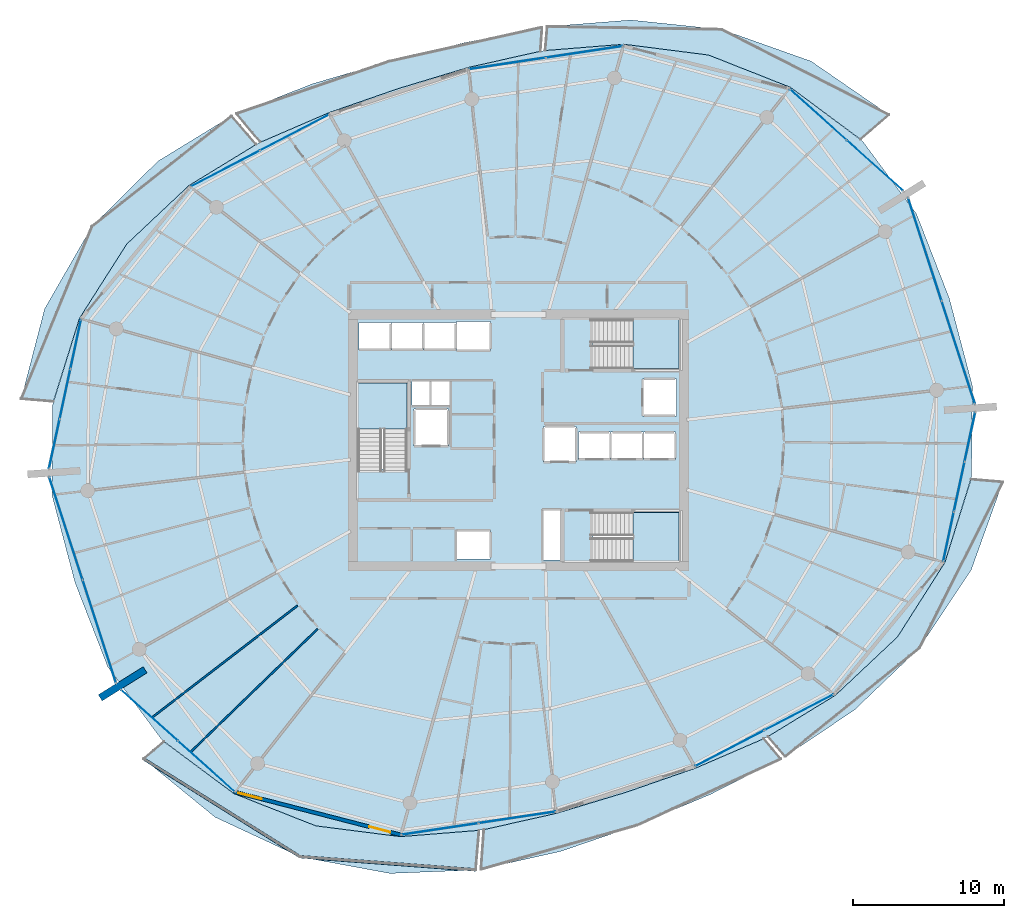
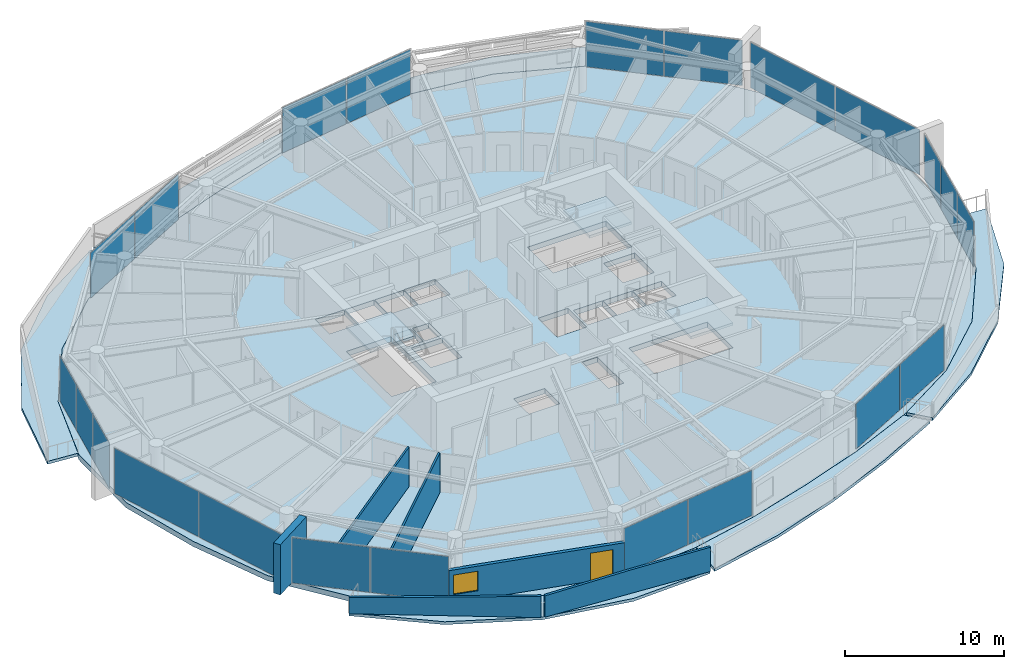
# One storey, part 17 of 30: 22 plates, 10 slabs, 6 walls, 1 door, 1 window, 2 openings, 13 elements without a shape of their own.
"""IFC4 building model written with IfcOpenShell, lengths in metres."""

from ifc_helpers import new_model, si_unit, direction, frame, frame_2d, origin, origin_2d, place, context, subcontext, project, spatial, polyline, rectangle, outline, extrude, material, layer, layer_set, type_object, element, fill, aggregate, save


model = new_model("IFC4")

# Units and contexts
model_context = context("Model", 3, precision=1e-05, world=origin(), true_north=direction((0.0, 1.0)))
body_context = subcontext(model_context, "Body", "Model", "MODEL_VIEW")
ifc_project = project(units=[si_unit("LENGTHUNIT", "METRE"), si_unit("AREAUNIT", "SQUARE_METRE"), si_unit("VOLUMEUNIT", "CUBIC_METRE"), si_unit("PLANEANGLEUNIT", "RADIAN"), si_unit("MASSUNIT", "GRAM", prefix="KILO")], contexts=[model_context])

# Site, building, storey
site_placement = place(None, origin())
site = spatial("IfcSite", under=ifc_project, at=site_placement, CompositionType="ELEMENT")
building_placement = place(site_placement, origin())
building = spatial("IfcBuilding", under=site, at=building_placement, Name="Kazma Halo Residences", CompositionType="ELEMENT")
storey_placement = place(building_placement, frame((0.0, 0.0, 236.699951171875)))
storey = spatial("IfcBuildingStorey", under=building, at=storey_placement, Name="L59", CompositionType="ELEMENT", Elevation=236.699951171875)

# Curtain wall, plates
ifc_material_1 = material(Name="Aluminium AW-6063 T6 and Triple-Silver Low-E Glass", Category="aluminium")
ifc_layer_1 = layer(ifc_material_1, 0.139892578125)
ifc_layer_set_1 = layer_set([ifc_layer_1], Name="Aluminium AW-6063 T6 and Triple-Silver Low-E Glass")
curtain_wall_type = type_object("IfcCurtainWallType", Name="CW-SYS-5", PredefinedType="NOTDEFINED", material=ifc_layer_set_1)
curtain_wall_1_placement = place(storey_placement, origin())
curtain_wall_1 = element("IfcCurtainWall", 1, at=curtain_wall_1_placement, inside=storey, type_object=curtain_wall_type, Name="L59 unitised curtain wall B01", PredefinedType="NOTDEFINED")
ifc_material_2 = material(Name="Clear Triple-Silver Low-E Glass IGU", Category="glass")
ifc_layer_2 = layer(ifc_material_2, 0.02587890625)
ifc_layer_set_2 = layer_set([ifc_layer_2], Name="Clear Triple-Silver Low-E Glass IGU")
plate_type = type_object("IfcPlateType", Name="CW-SYS-5-PNL", PredefinedType="CURTAIN_PANEL", material=ifc_layer_set_2)
plate_1_placement = place(storey_placement, frame((72.002685546875, 60.179443359375, 0.06005859375), z_axis=(0.0, 0.0, 1.0), x_axis=(-0.744336424671, 0.667804826958, 0.0)))
plate_1 = element("IfcPlate", 2, at=plate_1_placement, type_object=plate_type, Name="CWS-5 panel 1.1", PredefinedType="CURTAIN_PANEL", context=body_context, shape_type="SweptSolid", body=[
    extrude(rectangle(XDim=4.993408203125, YDim=0.02587890625, at=origin_2d()), origin(), (0.0, 0.0, 1.0), 3.469970703125),
])
plate_2_placement = place(storey_placement, frame((68.2412109375, 63.55419921875, 0.06005859375), z_axis=(0.0, 0.0, 1.0), x_axis=(-0.744336424671, 0.667804826958, 0.0)))
plate_2 = element("IfcPlate", 3, at=plate_2_placement, type_object=plate_type, Name="CWS-5 panel 2.1", PredefinedType="CURTAIN_PANEL", context=body_context, shape_type="SweptSolid", body=[
    extrude(rectangle(XDim=4.993408203125, YDim=0.02587890625, at=origin_2d()), origin(), (0.0, 0.0, 1.0), 3.469970703125),
])
aggregate(curtain_wall_1, [plate_1, plate_2])

curtain_wall_2_placement = place(storey_placement, origin())
curtain_wall_2 = element("IfcCurtainWall", 4, at=curtain_wall_2_placement, inside=storey, type_object=curtain_wall_type, Name="L59 unitised curtain wall B03", PredefinedType="NOTDEFINED")
plate_3_placement = place(storey_placement, frame((52.77783203125, 67.70361328125, 0.06005859375), z_axis=(0.0, 0.0, 1.0), x_axis=(-0.988882792998, -0.148697080374, 0.0)))
plate_3 = element("IfcPlate", 5, at=plate_3_placement, type_object=plate_type, Name="CWS-5 panel 1.1", PredefinedType="CURTAIN_PANEL", context=body_context, shape_type="SweptSolid", body=[
    extrude(rectangle(XDim=5.099853515625, YDim=0.02587890625, at=origin_2d()), origin(), (0.0, 0.0, 1.0), 3.469970703125),
])
plate_4_placement = place(storey_placement, frame((47.67529296875, 66.936279296875, 0.06005859375), z_axis=(0.0, 0.0, 1.0), x_axis=(-0.988882792998, -0.148697080374, 0.0)))
plate_4 = element("IfcPlate", 6, at=plate_4_placement, type_object=plate_type, Name="CWS-5 panel 2.1", PredefinedType="CURTAIN_PANEL", context=body_context, shape_type="SweptSolid", body=[
    extrude(rectangle(XDim=5.099853515625, YDim=0.02587890625, at=origin_2d()), origin(), (0.0, 0.0, 1.0), 3.469970703125),
])
aggregate(curtain_wall_2, [plate_3, plate_4])

curtain_wall_3_placement = place(storey_placement, origin())
curtain_wall_3 = element("IfcCurtainWall", 7, at=curtain_wall_3_placement, inside=storey, type_object=curtain_wall_type, Name="L59 unitised curtain wall B05", PredefinedType="NOTDEFINED")
plate_5_placement = place(storey_placement, frame((33.60546875, 62.36474609375, 0.06005859375), z_axis=(0.0, 0.0, 1.0), x_axis=(-0.887420518694, -0.460960760804, 0.0)))
plate_5 = element("IfcPlate", 8, at=plate_5_placement, type_object=plate_type, Name="CWS-5 panel 1.1", PredefinedType="CURTAIN_PANEL", context=body_context, shape_type="SweptSolid", body=[
    extrude(rectangle(XDim=5.099609375, YDim=0.02587890625, at=origin_2d()), origin(), (0.0, 0.0, 1.0), 3.469970703125),
])
plate_6_placement = place(storey_placement, frame((29.026611328125, 59.986328125, 0.06005859375), z_axis=(0.0, 0.0, 1.0), x_axis=(-0.887420518694, -0.460960760804, 0.0)))
plate_6 = element("IfcPlate", 9, at=plate_6_placement, type_object=plate_type, Name="CWS-5 panel 2.1", PredefinedType="CURTAIN_PANEL", context=body_context, shape_type="SweptSolid", body=[
    extrude(rectangle(XDim=5.099609375, YDim=0.02587890625, at=origin_2d()), origin(), (0.0, 0.0, 1.0), 3.469970703125),
])
aggregate(curtain_wall_3, [plate_5, plate_6])

curtain_wall_4_placement = place(storey_placement, origin())
curtain_wall_4 = element("IfcCurtainWall", 10, at=curtain_wall_4_placement, inside=storey, type_object=curtain_wall_type, Name="L59 unitised curtain wall B07", PredefinedType="NOTDEFINED")
plate_7_placement = place(storey_placement, frame((19.133056640625, 48.36865234375, 0.06005859375), z_axis=(0.0, 0.0, 1.0), x_axis=(-0.209657382603, -0.97777491373, 0.0)))
plate_7 = element("IfcPlate", 11, at=plate_7_placement, type_object=plate_type, Name="CWS-5 panel 1.1", PredefinedType="CURTAIN_PANEL", context=body_context, shape_type="SweptSolid", body=[
    extrude(rectangle(XDim=3.299072265625, YDim=0.02587890625, at=origin_2d()), origin(), (0.0, 0.0, 1.0), 3.469970703125),
])
plate_8_placement = place(storey_placement, frame((18.42578125, 45.069580078125, 0.06005859375), z_axis=(0.0, 0.0, 1.0), x_axis=(-0.209657382603, -0.97777491373, 0.0)))
plate_8 = element("IfcPlate", 12, at=plate_8_placement, type_object=plate_type, Name="CWS-5 panel 2.1", PredefinedType="CURTAIN_PANEL", context=body_context, shape_type="SweptSolid", body=[
    extrude(rectangle(XDim=3.3291015625, YDim=0.02587890625, at=origin_2d()), origin(), (0.0, 0.0, 1.0), 3.469970703125),
])
plate_9_placement = place(storey_placement, frame((17.71826171875, 41.7705078125, 0.06005859375), z_axis=(0.0, 0.0, 1.0), x_axis=(-0.209657382603, -0.97777491373, 0.0)))
plate_9 = element("IfcPlate", 13, at=plate_9_placement, type_object=plate_type, Name="CWS-5 panel 3.1", PredefinedType="CURTAIN_PANEL", context=body_context, shape_type="SweptSolid", body=[
    extrude(rectangle(XDim=3.299072265625, YDim=0.02587890625, at=origin_2d()), origin(), (0.0, 0.0, 1.0), 3.469970703125),
])
aggregate(curtain_wall_4, [plate_7, plate_8, plate_9])

curtain_wall_5_placement = place(storey_placement, origin())
curtain_wall_5 = element("IfcCurtainWall", 14, at=curtain_wall_5_placement, inside=storey, type_object=curtain_wall_type, Name="L59 unitised curtain wall B08", PredefinedType="NOTDEFINED")
plate_10_placement = place(storey_placement, frame((18.48486328125, 36.1787109375, 0.06005859375), z_axis=(0.0, 0.0, 1.0), x_axis=(0.309010998786, -0.951058464359, 0.0)))
plate_10 = element("IfcPlate", 15, at=plate_10_placement, type_object=plate_type, Name="CWS-5 panel 1.1", PredefinedType="CURTAIN_PANEL", context=body_context, shape_type="SweptSolid", body=[
    extrude(rectangle(XDim=7.108642578125, YDim=0.02587890625, at=origin_2d()), origin(), (0.0, 0.0, 1.0), 3.469970703125),
])
plate_11_placement = place(storey_placement, frame((20.699951171875, 29.36083984375, 0.06005859375), z_axis=(0.0, 0.0, 1.0), x_axis=(0.309010998786, -0.951058464359, 0.0)))
plate_11 = element("IfcPlate", 16, at=plate_11_placement, type_object=plate_type, Name="CWS-5 panel 2.1", PredefinedType="CURTAIN_PANEL", context=body_context, shape_type="SweptSolid", body=[
    extrude(rectangle(XDim=7.108642578125, YDim=0.02587890625, at=origin_2d()), origin(), (0.0, 0.0, 1.0), 3.469970703125),
])
aggregate(curtain_wall_5, [plate_10, plate_11])

curtain_wall_6_placement = place(storey_placement, origin())
curtain_wall_6 = element("IfcCurtainWall", 17, at=curtain_wall_6_placement, inside=storey, type_object=curtain_wall_type, Name="L59 unitised curtain wall B09", PredefinedType="NOTDEFINED")
plate_12_placement = place(storey_placement, frame((23.997314453125, 23.820556640625, 0.06005859375), z_axis=(0.0, 0.0, 1.0), x_axis=(0.744336424671, -0.667804826958, 0.0)))
plate_12 = element("IfcPlate", 18, at=plate_12_placement, type_object=plate_type, Name="CWS-5 panel 1.1", PredefinedType="CURTAIN_PANEL", context=body_context, shape_type="SweptSolid", body=[
    extrude(rectangle(XDim=4.993408203125, YDim=0.02587890625, at=origin_2d()), origin(), (0.0, 0.0, 1.0), 3.469970703125),
])
plate_13_placement = place(storey_placement, frame((27.7587890625, 20.44580078125, 0.06005859375), z_axis=(0.0, 0.0, 1.0), x_axis=(0.744336424671, -0.667804826958, 0.0)))
plate_13 = element("IfcPlate", 19, at=plate_13_placement, type_object=plate_type, Name="CWS-5 panel 2.1", PredefinedType="CURTAIN_PANEL", context=body_context, shape_type="SweptSolid", body=[
    extrude(rectangle(XDim=4.993408203125, YDim=0.02587890625, at=origin_2d()), origin(), (0.0, 0.0, 1.0), 3.469970703125),
])
aggregate(curtain_wall_6, [plate_12, plate_13])

curtain_wall_7_placement = place(storey_placement, origin())
curtain_wall_7 = element("IfcCurtainWall", 20, at=curtain_wall_7_placement, inside=storey, type_object=curtain_wall_type, Name="L59 unitised curtain wall B11", PredefinedType="NOTDEFINED")
plate_14_placement = place(storey_placement, frame((43.22216796875, 16.29638671875, 0.06005859375), z_axis=(0.0, 0.0, 1.0), x_axis=(0.988882792998, 0.148697080374, 0.0)))
plate_14 = element("IfcPlate", 21, at=plate_14_placement, type_object=plate_type, Name="CWS-5 panel 1.1", PredefinedType="CURTAIN_PANEL", context=body_context, shape_type="SweptSolid", body=[
    extrude(rectangle(XDim=5.099853515625, YDim=0.02587890625, at=origin_2d()), origin(), (0.0, 0.0, 1.0), 3.469970703125),
])
plate_15_placement = place(storey_placement, frame((48.32470703125, 17.063720703125, 0.06005859375), z_axis=(0.0, 0.0, 1.0), x_axis=(0.988882792998, 0.148697080374, 0.0)))
plate_15 = element("IfcPlate", 22, at=plate_15_placement, type_object=plate_type, Name="CWS-5 panel 2.1", PredefinedType="CURTAIN_PANEL", context=body_context, shape_type="SweptSolid", body=[
    extrude(rectangle(XDim=5.099853515625, YDim=0.02587890625, at=origin_2d()), origin(), (0.0, 0.0, 1.0), 3.469970703125),
])
aggregate(curtain_wall_7, [plate_14, plate_15])

curtain_wall_8_placement = place(storey_placement, origin())
curtain_wall_8 = element("IfcCurtainWall", 23, at=curtain_wall_8_placement, inside=storey, type_object=curtain_wall_type, Name="L59 unitised curtain wall B13", PredefinedType="NOTDEFINED")
plate_16_placement = place(storey_placement, frame((62.39453125, 21.63525390625, 0.06005859375), z_axis=(0.0, 0.0, 1.0), x_axis=(0.887420518694, 0.460960760804, 0.0)))
plate_16 = element("IfcPlate", 24, at=plate_16_placement, type_object=plate_type, Name="CWS-5 panel 1.1", PredefinedType="CURTAIN_PANEL", context=body_context, shape_type="SweptSolid", body=[
    extrude(rectangle(XDim=5.099609375, YDim=0.02587890625, at=origin_2d()), origin(), (0.0, 0.0, 1.0), 3.469970703125),
])
plate_17_placement = place(storey_placement, frame((66.973388671875, 24.013671875, 0.06005859375), z_axis=(0.0, 0.0, 1.0), x_axis=(0.887420518694, 0.460960760804, 0.0)))
plate_17 = element("IfcPlate", 25, at=plate_17_placement, type_object=plate_type, Name="CWS-5 panel 2.1", PredefinedType="CURTAIN_PANEL", context=body_context, shape_type="SweptSolid", body=[
    extrude(rectangle(XDim=5.099609375, YDim=0.02587890625, at=origin_2d()), origin(), (0.0, 0.0, 1.0), 3.469970703125),
])
aggregate(curtain_wall_8, [plate_16, plate_17])

curtain_wall_9_placement = place(storey_placement, origin())
curtain_wall_9 = element("IfcCurtainWall", 26, at=curtain_wall_9_placement, inside=storey, type_object=curtain_wall_type, Name="L59 unitised curtain wall B15", PredefinedType="NOTDEFINED")
plate_18_placement = place(storey_placement, frame((76.866943359375, 35.63134765625, 0.06005859375), z_axis=(0.0, 0.0, 1.0), x_axis=(0.209657382603, 0.97777491373, 0.0)))
plate_18 = element("IfcPlate", 27, at=plate_18_placement, type_object=plate_type, Name="CWS-5 panel 1.1", PredefinedType="CURTAIN_PANEL", context=body_context, shape_type="SweptSolid", body=[
    extrude(rectangle(XDim=3.299072265625, YDim=0.02587890625, at=origin_2d()), origin(), (0.0, 0.0, 1.0), 3.469970703125),
])
plate_19_placement = place(storey_placement, frame((77.57421875, 38.930419921875, 0.06005859375), z_axis=(0.0, 0.0, 1.0), x_axis=(0.209657382603, 0.97777491373, 0.0)))
plate_19 = element("IfcPlate", 28, at=plate_19_placement, type_object=plate_type, Name="CWS-5 panel 2.1", PredefinedType="CURTAIN_PANEL", context=body_context, shape_type="SweptSolid", body=[
    extrude(rectangle(XDim=3.3291015625, YDim=0.02587890625, at=origin_2d()), origin(), (0.0, 0.0, 1.0), 3.469970703125),
])
plate_20_placement = place(storey_placement, frame((78.28173828125, 42.2294921875, 0.06005859375), z_axis=(0.0, 0.0, 1.0), x_axis=(0.209657382603, 0.97777491373, 0.0)))
plate_20 = element("IfcPlate", 29, at=plate_20_placement, type_object=plate_type, Name="CWS-5 panel 3.1", PredefinedType="CURTAIN_PANEL", context=body_context, shape_type="SweptSolid", body=[
    extrude(rectangle(XDim=3.299072265625, YDim=0.02587890625, at=origin_2d()), origin(), (0.0, 0.0, 1.0), 3.469970703125),
])
aggregate(curtain_wall_9, [plate_18, plate_19, plate_20])

curtain_wall_10_placement = place(storey_placement, origin())
curtain_wall_10 = element("IfcCurtainWall", 30, at=curtain_wall_10_placement, inside=storey, type_object=curtain_wall_type, Name="L59 unitised curtain wall B16", PredefinedType="NOTDEFINED")
plate_21_placement = place(storey_placement, frame((77.51513671875, 47.8212890625, 0.06005859375), z_axis=(0.0, 0.0, 1.0), x_axis=(-0.309010998786, 0.951058464359, 0.0)))
plate_21 = element("IfcPlate", 31, at=plate_21_placement, type_object=plate_type, Name="CWS-5 panel 1.1", PredefinedType="CURTAIN_PANEL", context=body_context, shape_type="SweptSolid", body=[
    extrude(rectangle(XDim=7.108642578125, YDim=0.02587890625, at=origin_2d()), origin(), (0.0, 0.0, 1.0), 3.469970703125),
])
plate_22_placement = place(storey_placement, frame((75.300048828125, 54.63916015625, 0.06005859375), z_axis=(0.0, 0.0, 1.0), x_axis=(-0.309010998786, 0.951058464359, 0.0)))
plate_22 = element("IfcPlate", 32, at=plate_22_placement, type_object=plate_type, Name="CWS-5 panel 2.1", PredefinedType="CURTAIN_PANEL", context=body_context, shape_type="SweptSolid", body=[
    extrude(rectangle(XDim=7.108642578125, YDim=0.02587890625, at=origin_2d()), origin(), (0.0, 0.0, 1.0), 3.469970703125),
])
aggregate(curtain_wall_10, [plate_21, plate_22])

# Slabs
ifc_material_3 = material(Name="White Concrete C50/60", Category="concrete")
ifc_layer_3 = layer(ifc_material_3, 0.219970703125)
ifc_layer_set_3 = layer_set([ifc_layer_3], Name="White Concrete C50/60")
slab_type_1 = type_object("IfcSlabType", Name="SLB-BAL-WAVE-210", PredefinedType="FLOOR", material=ifc_layer_set_3)
slab_1_placement = place(storey_placement, frame((0.0, 0.0, -0.219970703125)))
element("IfcSlab", 33, at=slab_1_placement, inside=storey, type_object=slab_type_1, Name="L59 NE cantilevered wave balcony slab", PredefinedType="FLOOR", context=body_context, shape_type="SweptSolid", body=[
    extrude(outline(polyline([(71.0400390625, 61.9228515625), (66.41357421875, 65.357421875), (60.990478515625, 67.49560546875), (55.3916015625, 68.208984375), (50.188720703125, 67.794189453125), (50.322998046875, 69.37890625), (55.84375, 69.812255859375), (61.852783203125, 69.1875), (67.775146484375, 67.084716796875), (72.91748046875, 63.546142578125), (71.0400390625, 61.9228515625)])), origin(), (0.0, 0.0, 1.0), 0.219970703125),
])
slab_2_placement = place(storey_placement, frame((0.0, 0.0, -0.219970703125)))
element("IfcSlab", 34, at=slab_2_placement, inside=storey, type_object=slab_type_1, Name="L59 NNW cantilevered wave balcony slab", PredefinedType="FLOOR", context=body_context, shape_type="SweptSolid", body=[
    extrude(outline(polyline([(49.8681640625, 67.74609375), (45.080078125, 66.66943359375), (40.43994140625, 65.267333984375), (35.86181640625, 63.67431640625), (31.35546875, 61.731201171875), (29.76513671875, 63.6162109375), (34.787109375, 65.59326171875), (39.853271484375, 67.073486328125), (44.884521484375, 68.323486328125), (49.98291015625, 69.327392578125), (49.8681640625, 67.74609375)])), origin(), (0.0, 0.0, 1.0), 0.219970703125),
])
slab_3_placement = place(storey_placement, frame((0.0, 0.0, -0.219970703125)))
element("IfcSlab", 35, at=slab_3_placement, inside=storey, type_object=slab_type_1, Name="L59 NW cantilevered wave balcony slab", PredefinedType="FLOOR", context=body_context, shape_type="SweptSolid", body=[
    extrude(outline(polyline([(31.06787109375, 61.58154296875), (26.614501953125, 58.85888671875), (22.50439453125, 54.990478515625), (19.3740234375, 50.0732421875), (17.64990234375, 44.5751953125), (15.527099609375, 44.75537109375), (17.076904296875, 50.72119140625), (20.20703125, 56.1611328125), (24.56640625, 60.473388671875), (29.44287109375, 63.4609375), (31.06787109375, 61.58154296875)])), origin(), (0.0, 0.0, 1.0), 0.219970703125),
])
slab_4_placement = place(storey_placement, frame((0.0, 0.0, -0.219970703125)))
element("IfcSlab", 36, at=slab_4_placement, inside=storey, type_object=slab_type_1, Name="L59 SW cantilevered wave balcony slab", PredefinedType="FLOOR", context=body_context, shape_type="SweptSolid", body=[
    extrude(outline(polyline([(24.9599609375, 22.0771484375), (29.58642578125, 18.642578125), (35.009521484375, 16.50439453125), (40.6083984375, 15.791015625), (45.811279296875, 16.205810546875), (45.589111328125, 13.585205078125), (39.92138671875, 13.355712890625), (33.966552734375, 14.4580078125), (28.3505859375, 17.07470703125), (23.628662109375, 20.926025390625), (24.9599609375, 22.0771484375)])), origin(), (0.0, 0.0, 1.0), 0.219970703125),
])
slab_5_placement = place(storey_placement, frame((0.0, 0.0, -0.219970703125)))
element("IfcSlab", 37, at=slab_5_placement, inside=storey, type_object=slab_type_1, Name="L59 SSE cantilevered wave balcony slab", PredefinedType="FLOOR", context=body_context, shape_type="SweptSolid", body=[
    extrude(outline(polyline([(46.1318359375, 16.25390625), (50.919921875, 17.33056640625), (55.56005859375, 18.732666015625), (60.13818359375, 20.32568359375), (64.64453125, 22.268798828125), (65.769287109375, 20.935546875), (61.11376953125, 18.583740234375), (56.269775390625, 16.548095703125), (51.21728515625, 14.817626953125), (45.94189453125, 13.635498046875), (46.1318359375, 16.25390625)])), origin(), (0.0, 0.0, 1.0), 0.219970703125),
])
slab_6_placement = place(storey_placement, frame((0.0, 0.0, -0.219970703125)))
element("IfcSlab", 38, at=slab_6_placement, inside=storey, type_object=slab_type_1, Name="L59 SE cantilevered wave balcony slab", PredefinedType="FLOOR", context=body_context, shape_type="SweptSolid", body=[
    extrude(outline(polyline([(64.93212890625, 22.41845703125), (69.385498046875, 25.14111328125), (73.49560546875, 29.009521484375), (76.6259765625, 33.9267578125), (78.35009765625, 39.4248046875), (80.4541015625, 39.24609375), (78.3671875, 33.435546875), (74.936767578125, 28.27490234375), (70.63232421875, 24.157958984375), (66.0673828125, 21.10546875), (64.93212890625, 22.41845703125)])), origin(), (0.0, 0.0, 1.0), 0.219970703125),
])

# Stair, slab
ifc_material_4 = material(Name="Concrete C50/60", Category="concrete")
stair_type = type_object("IfcStairType", Name="STR-RES2", PredefinedType="HALF_TURN_STAIR", material=ifc_material_4)
stair_1_placement = place(storey_placement, origin())
stair_1 = element("IfcStair", 39, at=stair_1_placement, inside=storey, type_object=stair_type, Name="L59 Core exit stair ST-01", PredefinedType="HALF_TURN_STAIR")
ifc_layer_4 = layer(ifc_material_4, 0.199951171875)
ifc_layer_set_4 = layer_set([ifc_layer_4], Name="Concrete C50/60")
slab_type_2 = type_object("IfcSlabType", Name="SLB-STAIR-LND-200", PredefinedType="LANDING", material=ifc_layer_set_4)
slab_7_placement = place(storey_placement, frame((0.0, 0.0, 1.72509765625)))
slab_7 = element("IfcSlab", 40, at=slab_7_placement, type_object=slab_type_2, Name="ST-01 landing 1", PredefinedType="LANDING", context=body_context, shape_type="SweptSolid", body=[
    extrude(outline(polyline([(41.050048828125, 42.75), (41.050048828125, 45.800048828125), (37.800048828125, 45.800048828125), (37.800048828125, 42.75), (41.050048828125, 42.75)])), origin(), (0.0, 0.0, 1.0), 0.199951171875),
])
aggregate(stair_1, [slab_7])

stair_2_placement = place(storey_placement, origin())
stair_2 = element("IfcStair", 41, at=stair_2_placement, inside=storey, type_object=stair_type, Name="L59 Core exit stair ST-02", PredefinedType="HALF_TURN_STAIR")
slab_8_placement = place(storey_placement, frame((0.0, 0.0, 1.72509765625)))
slab_8 = element("IfcSlab", 42, at=slab_8_placement, type_object=slab_type_2, Name="ST-02 landing 1", PredefinedType="LANDING", context=body_context, shape_type="SweptSolid", body=[
    extrude(outline(polyline([(56.0, 46.75), (59.050048828125, 46.75), (59.050048828125, 50.0), (56.0, 50.0), (56.0, 46.75)])), origin(), (0.0, 0.0, 1.0), 0.199951171875),
])
aggregate(stair_2, [slab_8])

stair_3_placement = place(storey_placement, origin())
stair_3 = element("IfcStair", 43, at=stair_3_placement, inside=storey, type_object=stair_type, Name="L59 Core exit stair ST-03", PredefinedType="HALF_TURN_STAIR")
slab_9_placement = place(storey_placement, frame((0.0, 0.0, 1.72509765625)))
slab_9 = element("IfcSlab", 44, at=slab_9_placement, type_object=slab_type_2, Name="ST-03 landing 1", PredefinedType="LANDING", context=body_context, shape_type="SweptSolid", body=[
    extrude(outline(polyline([(56.0, 34.0), (59.050048828125, 34.0), (59.050048828125, 37.25), (56.0, 37.25), (56.0, 34.0)])), origin(), (0.0, 0.0, 1.0), 0.199951171875),
])
aggregate(stair_3, [slab_9])

# Slab
ifc_material_5 = material(Name="Concrete C60/75", Category="concrete")
ifc_layer_5 = layer(ifc_material_5, 0.39990234375)
ifc_layer_set_5 = layer_set([ifc_layer_5], Name="Concrete C60/75")
slab_type_3 = type_object("IfcSlabType", Name="SLB-TRANS-400", PredefinedType="FLOOR", material=ifc_layer_set_5)
slab_10_placement = place(storey_placement, frame((0.0, 0.0, -0.39990234375)))
element("IfcSlab", 45, at=slab_10_placement, inside=storey, type_object=slab_type_3, Name="L59 structural floor slab", PredefinedType="FLOOR", context=body_context, shape_type="SweptSolid", body=[
    extrude(outline(polyline([(76.9189453125, 51.396240234375), (74.749755859375, 56.980712890625), (71.180419921875, 61.7978515625), (66.412109375, 65.355712890625), (60.98974609375, 67.49365234375), (55.39111328125, 68.207275390625), (50.02880859375, 67.7783203125), (45.080322265625, 66.66748046875), (40.440673828125, 65.265380859375), (35.86279296875, 63.672607421875), (31.20654296875, 61.66259765625), (26.6162109375, 58.857666015625), (22.50634765625, 54.98974609375), (19.3759765625, 50.07275390625), (17.60986328125, 44.391845703125), (17.5537109375, 38.396484375), (19.0810546875, 32.603759765625), (21.250244140625, 27.019287109375), (24.819580078125, 22.2021484375), (29.587890625, 18.644287109375), (35.01025390625, 16.50634765625), (40.60888671875, 15.792724609375), (45.97119140625, 16.2216796875), (50.919677734375, 17.33251953125), (55.559326171875, 18.734619140625), (60.13720703125, 20.327392578125), (64.79345703125, 22.33740234375), (69.3837890625, 25.142333984375), (73.49365234375, 29.01025390625), (76.6240234375, 33.92724609375), (78.39013671875, 39.608154296875), (78.4462890625, 45.603515625), (76.9189453125, 51.396240234375)]), holes=[polyline([(37.800048828125, 40.110107421875), (41.050048828125, 40.110107421875), (41.050048828125, 45.800048828125), (37.800048828125, 45.800048828125), (37.800048828125, 40.110107421875)]), polyline([(53.360107421875, 46.75), (59.050048828125, 46.75), (59.050048828125, 50.0), (53.360107421875, 50.0), (53.360107421875, 46.75)]), polyline([(53.360107421875, 34.0), (59.050048828125, 34.0), (59.050048828125, 37.25), (53.360107421875, 37.25), (53.360107421875, 34.0)]), polyline([(41.52001953125, 41.6201171875), (43.780029296875, 41.6201171875), (43.780029296875, 44.080078125), (41.52001953125, 44.080078125), (41.52001953125, 41.6201171875)]), polyline([(56.6201171875, 43.6201171875), (58.8798828125, 43.6201171875), (58.8798828125, 46.080078125), (56.6201171875, 46.080078125), (56.6201171875, 43.6201171875)]), polyline([(52.39501953125, 40.7451171875), (54.5048828125, 40.7451171875), (54.5048828125, 42.554931640625), (52.39501953125, 42.554931640625), (52.39501953125, 40.7451171875)]), polyline([(54.544921875, 40.7451171875), (56.655029296875, 40.7451171875), (56.655029296875, 42.554931640625), (54.544921875, 42.554931640625), (54.544921875, 40.7451171875)]), polyline([(56.695068359375, 40.7451171875), (58.804931640625, 40.7451171875), (58.804931640625, 42.554931640625), (56.695068359375, 42.554931640625), (56.695068359375, 40.7451171875)]), polyline([(37.864990234375, 47.9951171875), (39.97509765625, 47.9951171875), (39.97509765625, 49.804931640625), (37.864990234375, 49.804931640625), (37.864990234375, 47.9951171875)]), polyline([(40.014892578125, 47.9951171875), (42.125, 47.9951171875), (42.125, 49.804931640625), (40.014892578125, 49.804931640625), (40.014892578125, 47.9951171875)]), polyline([(42.1650390625, 47.9951171875), (44.27490234375, 47.9951171875), (44.27490234375, 49.804931640625), (42.1650390625, 49.804931640625), (42.1650390625, 47.9951171875)]), polyline([(44.320068359375, 47.945068359375), (46.580078125, 47.945068359375), (46.580078125, 49.85498046875), (44.320068359375, 49.85498046875), (44.320068359375, 47.945068359375)]), polyline([(44.320068359375, 34.14501953125), (46.580078125, 34.14501953125), (46.580078125, 36.054931640625), (44.320068359375, 36.054931640625), (44.320068359375, 34.14501953125)]), polyline([(50.070068359375, 40.570068359375), (52.22998046875, 40.570068359375), (52.22998046875, 42.929931640625), (50.070068359375, 42.929931640625), (50.070068359375, 40.570068359375)]), polyline([(41.360107421875, 44.340087890625), (42.5400390625, 44.340087890625), (42.5400390625, 45.89990234375), (41.360107421875, 45.89990234375), (41.360107421875, 44.340087890625)]), polyline([(42.659912109375, 44.340087890625), (43.840087890625, 44.340087890625), (43.840087890625, 45.89990234375), (42.659912109375, 45.89990234375), (42.659912109375, 44.340087890625)]), polyline([(50.06005859375, 34.080078125), (51.159912109375, 34.080078125), (51.159912109375, 37.3798828125), (50.06005859375, 37.3798828125), (50.06005859375, 34.080078125)])]), origin(), (0.0, 0.0, 1.0), 0.39990234375),
])

# Walls
ifc_material_6 = material(Name="White Concrete C50/60 Balustrade", Category="concrete")
ifc_layer_6 = layer(ifc_material_6, 0.179931640625)
ifc_layer_set_6 = layer_set([ifc_layer_6], Name="White Concrete C50/60 Balustrade")
wall_type_1 = type_object("IfcWallType", Name="WL-BAL-WAVE-180", PredefinedType="PARAPET", material=ifc_layer_set_6)
wall_1_placement = place(storey_placement, frame((23.628662109375, 20.926025390625, 0.0), z_axis=(0.0, 0.0, 1.0), x_axis=(0.847743764475, -0.53040598582, 0.0)))
element("IfcWall", 46, at=wall_1_placement, inside=storey, type_object=wall_type_1, Name="L59 white wave balustrade wall SW.1", PredefinedType="PARAPET", context=body_context, shape_type="SweptSolid", body=[
    extrude(outline(polyline([(0.0, 0.0), (12.07470703125, 0.0), (12.07470703125, 1.632080078125), (6.037353515625, 1.41796875), (0.0, 1.233154296875), (0.0, 0.0)])), frame((0.0, 0.08984375, 0.0), z_axis=(0.0, -1.0, 0.0), x_axis=(1.0, 0.0, 0.0)), (0.0, 0.0, 1.0), 0.179931640625),
])
wall_2_placement = place(storey_placement, frame((34.086181640625, 14.448974609375, 0.0), z_axis=(0.0, 0.0, 1.0), x_axis=(0.997192518369, -0.074880446769, 0.0)))
element("IfcWall", 47, at=wall_2_placement, inside=storey, type_object=wall_type_1, Name="L59 white wave balustrade wall SW.2", PredefinedType="PARAPET", context=body_context, shape_type="SweptSolid", body=[
    extrude(outline(polyline([(0.0, 0.0), (11.535400390625, 0.0), (11.53515625, 1.860107421875), (5.767578125, 1.798095703125), (0.0, 1.632080078125), (0.0, 0.0)])), frame((0.0, 0.08984375, 0.0), z_axis=(0.0, -1.0, 0.0), x_axis=(1.0, 0.0, 0.0)), (0.0, 0.0, 1.0), 0.179931640625),
])
ifc_material_7 = material(Name="Pale Concrete C60/75", Category="concrete")
ifc_layer_7 = layer(ifc_material_7, 0.47998046875)
ifc_layer_set_7 = layer_set([ifc_layer_7], Name="Pale Concrete C60/75")
wall_type_2 = type_object("IfcWallType", Name="WL-BLADE-480", PredefinedType="SOLIDWALL", material=ifc_layer_set_7)
wall_3_placement = place(storey_placement, frame((23.718505859375, 26.827392578125, 0.0), z_axis=(0.0, 0.0, 1.0), x_axis=(-0.848033572426, -0.529942506352, 0.0)))
element("IfcWall", 48, at=wall_3_placement, inside=storey, type_object=wall_type_2, Name="L59 pale concrete structural blade fin wall BW-03", PredefinedType="SOLIDWALL", context=body_context, shape_type="SweptSolid", body=[
    extrude(rectangle(XDim=3.5, YDim=0.47998046875, at=frame_2d((1.75, 0.0))), origin(), (0.0, 0.0, 1.0), 3.85009765625),
])

# Wall, openings, door, window
ifc_material_8 = material(Name="Insulated Pale-Metal Composite Wall")
ifc_layer_8 = layer(ifc_material_8, 0.239990234375)
ifc_layer_set_8 = layer_set([ifc_layer_8], Name="Insulated Pale-Metal Composite Wall")
wall_type_3 = type_object("IfcWallType", Name="WL-EXT-HOST-240", PredefinedType="SOLIDWALL", material=ifc_layer_set_8)
wall_4_placement = place(storey_placement, frame((29.613525390625, 18.7509765625, 0.0), z_axis=(0.0, 0.0, 1.0), x_axis=(0.968343758421, -0.249620442927, 0.0)))
wall_4 = element("IfcWall", 49, at=wall_4_placement, inside=storey, type_object=wall_type_3, Name="L59 exterior terrace-access wall B10", PredefinedType="SOLIDWALL", context=body_context, shape_type="SweptSolid", body=[
    extrude(rectangle(XDim=11.438232421875, YDim=0.239990234375, at=frame_2d((5.71923828125, 0.0))), origin(), (0.0, 0.0, 1.0), 2.5400390625),
])
opening_1_placement = place(wall_4_placement, frame((9.21826171875, 0.0, 0.0)))
opening_1 = element("IfcOpeningElement", 50, at=opening_1_placement, cuts=wall_4, Name="Opening DTR-1600", PredefinedType="OPENING", context=body_context, shape_type="SweptSolid", body=[
    extrude(rectangle(XDim=1.449951171875, YDim=2.14990234375, at=frame_2d((0.72509765625, 1.074951171875))), frame((0.0, 0.1298828125, 0.0), z_axis=(0.0, -1.0, 0.0), x_axis=(1.0, 0.0, 0.0)), (0.0, 0.0, 1.0), 0.260009765625),
])
opening_2_placement = place(wall_4_placement, frame((0.280029296875, 0.0, 0.64990234375)))
opening_2 = element("IfcOpeningElement", 51, at=opening_2_placement, cuts=wall_4, Name="Opening W-1800", PredefinedType="OPENING", context=body_context, shape_type="SweptSolid", body=[
    extrude(rectangle(XDim=1.60009765625, YDim=1.5, at=frame_2d((0.800048828125, 0.75))), frame((0.0, 0.1298828125, 0.0), z_axis=(0.0, -1.0, 0.0), x_axis=(1.0, 0.0, 0.0)), (0.0, 0.0, 1.0), 0.260009765625),
])
ifc_material_9 = material(Name="Aluminium AW-6063 T6 Double-Glazed Terrace Door", Category="aluminium")
door_type = type_object("IfcDoorType", Name="DR-EXT-TERR-1600", OperationType="NOTDEFINED", PredefinedType="DOOR", material=ifc_material_9)
door_placement = place(opening_1_placement, origin())
door = element("IfcDoor", 52, at=door_placement, inside=storey, type_object=door_type, Name="L59 B10 balcony terrace door", OperationType="DOUBLE_DOOR_SLIDING", OverallHeight=2.14990234375, OverallWidth=1.449951171875, PredefinedType="DOOR", context=body_context, shape_type="SweptSolid", body=[
    extrude(rectangle(XDim=1.449951171875, YDim=2.14990234375, at=frame_2d((0.72509765625, 1.074951171875))), frame((0.0, 0.02490234375, 0.0), z_axis=(0.0, -1.0, 0.0), x_axis=(1.0, 0.0, 0.0)), (0.0, 0.0, 1.0), 0.050048828125),
])
fill(opening_1, door)
ifc_material_10 = material(Name="Clear Triple-Silver Low-E Glass in Aluminium AW-6063 T6 Frame", Category="aluminium")
window_type = type_object("IfcWindowType", Name="WIN-RES-1800", PartitioningType="DOUBLE_PANEL_VERTICAL", PredefinedType="WINDOW", material=ifc_material_10)
window_placement = place(opening_2_placement, origin())
window = element("IfcWindow", 53, at=window_placement, inside=storey, type_object=window_type, Name="L59 B10 apartment window", OverallHeight=1.5, OverallWidth=1.60009765625, PartitioningType="SINGLE_PANEL", PredefinedType="WINDOW", context=body_context, shape_type="SweptSolid", body=[
    extrude(rectangle(XDim=1.60009765625, YDim=1.5, at=frame_2d((0.800048828125, 0.75))), frame((0.0, 0.030029296875, 0.0), z_axis=(0.0, -1.0, 0.0), x_axis=(1.0, 0.0, 0.0)), (0.0, 0.0, 1.0), 0.06005859375),
])
fill(opening_2, window)

# Walls
ifc_material_11 = material(Name="Gypsum Plasterboard Partition")
ifc_layer_9 = layer(ifc_material_11, 0.125)
ifc_layer_set_9 = layer_set([ifc_layer_9], Name="Gypsum Plasterboard Partition")
wall_type_4 = type_object("IfcWallType", Name="WL-PART-125", PredefinedType="PARTITIONING", material=ifc_layer_set_9)
wall_5_placement = place(storey_placement, frame((33.80224609375, 31.075927734375, 0.0), z_axis=(0.0, 0.0, 1.0), x_axis=(-0.792569355896, -0.609781777437, 0.0)))
element("IfcWall", 54, at=wall_5_placement, inside=storey, type_object=wall_type_4, Name="L59 Apartment 2 bay wall 1 8", PredefinedType="PARTITIONING", context=body_context, shape_type="SweptSolid", body=[
    extrude(rectangle(XDim=12.127685546875, YDim=0.125, at=frame_2d((6.06396484375, 0.0))), origin(), (0.0, 0.0, 1.0), 3.030029296875),
])
wall_6_placement = place(storey_placement, frame((35.135498046875, 29.533447265625, 0.0), z_axis=(0.0, 0.0, 1.0), x_axis=(-0.718126422437, -0.695912667939, 0.0)))
element("IfcWall", 55, at=wall_6_placement, inside=storey, type_object=wall_type_4, Name="L59 Apartment 2 bay wall 2 8", PredefinedType="PARTITIONING", context=body_context, shape_type="SweptSolid", body=[
    extrude(rectangle(XDim=11.69384765625, YDim=0.125, at=frame_2d((5.846923828125, 0.0))), origin(), (0.0, 0.0, 1.0), 3.030029296875),
])

save(model, "model.ifc")
